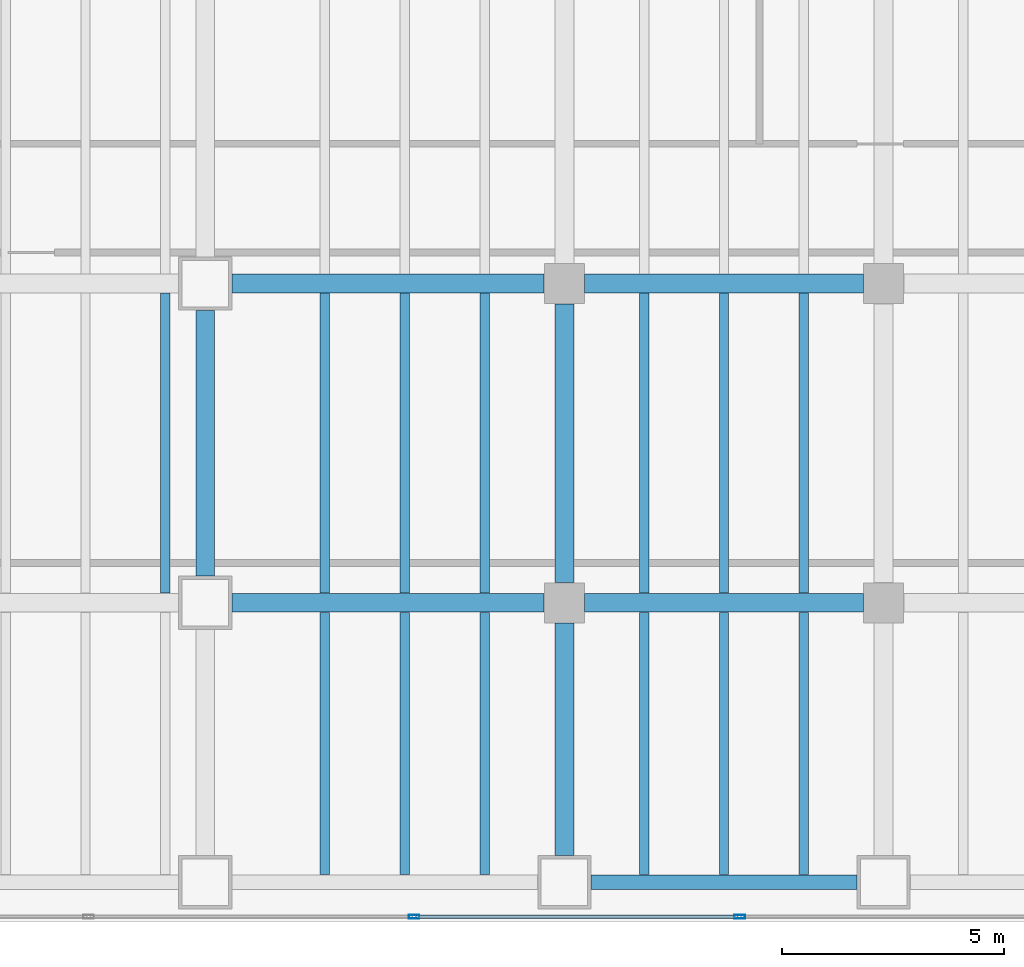
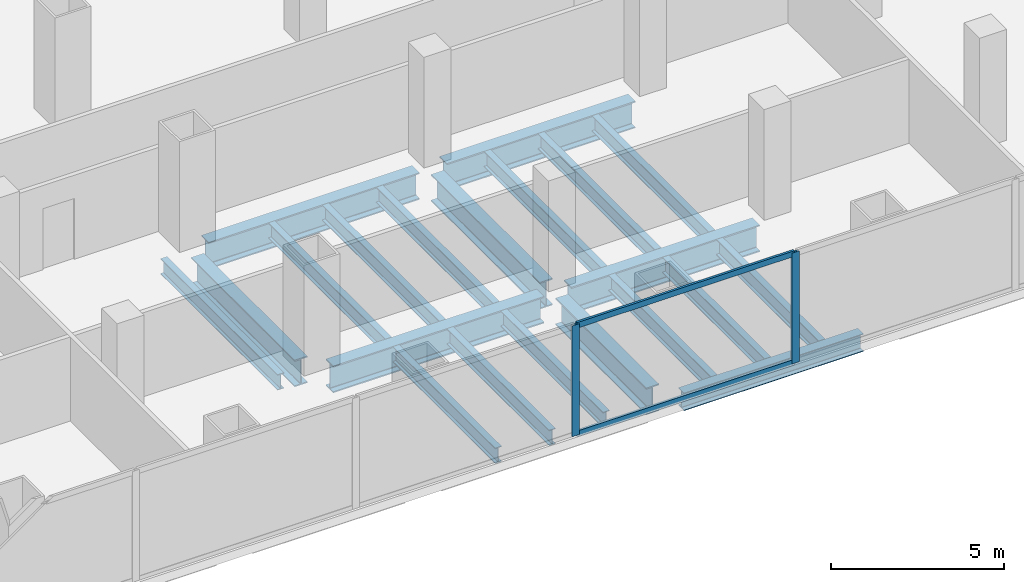
# One storey, part 7 of 29: 21 beams, 4 members, 1 element without a shape of its own.
"""IFC4 building model written with IfcOpenShell, lengths in metres."""

from ifc_helpers import new_model, si_unit, direction, frame, origin, origin_2d, place, context, subcontext, project, spatial, hollow_rectangle, i_section, extrude, material, material_profile, profile_set, type_object, element, aggregate, save


model = new_model("IFC4")

# Units and contexts
model_context = context("Model", 3, precision=1e-05, world=origin(), true_north=direction((0.0, 1.0)))
body_context = subcontext(model_context, "Body", "Model", "MODEL_VIEW")
ifc_project = project(units=[si_unit("LENGTHUNIT", "METRE"), si_unit("AREAUNIT", "SQUARE_METRE"), si_unit("VOLUMEUNIT", "CUBIC_METRE"), si_unit("PLANEANGLEUNIT", "RADIAN"), si_unit("MASSUNIT", "GRAM", prefix="KILO")], contexts=[model_context])

# Site, building, storey
site_placement = place(None, origin())
site = spatial("IfcSite", under=ifc_project, at=site_placement, CompositionType="ELEMENT")
building_placement = place(site_placement, origin())
building = spatial("IfcBuilding", under=site, at=building_placement, Name="Cobrela Telecom Tower", CompositionType="ELEMENT")
storey_placement = place(building_placement, frame((0.0, 0.0, 13.64990234375)))
storey = spatial("IfcBuildingStorey", under=building, at=storey_placement, Name="L03", CompositionType="ELEMENT", Elevation=13.64990234375)

# Beams
ifc_material_1 = material(Name="Steel ASTM A992 Grade 50", Category="steel")
ifc_material_profile_1 = material_profile(ifc_material_1, i_section(OverallWidth=0.424072265625, OverallDepth=0.947021484375, WebThickness=0.02392578125, FlangeThickness=0.042724609375, FilletRadius=0.02392578125, at=origin_2d()), Name="W36X302")
ifc_profile_set_1 = profile_set([ifc_material_profile_1], Name="Steel ASTM A992 Grade 50")
beam_type_1 = type_object("IfcBeamType", Name="BM-GIRD-01", PredefinedType="USERDEFINED", material=ifc_profile_set_1)
beam_1_placement = place(storey_placement, frame((50.10498046875, 7.199951171875, -0.7734375), z_axis=(1.0, 0.0, 0.0), x_axis=(0.0, 1.0, 0.0)))
element("IfcBeam", 1, at=beam_1_placement, inside=storey, type_object=beam_type_1, Name="L03 Primary Girder X16", ObjectType="GIRDER", PredefinedType="USERDEFINED", context=body_context, shape_type="SweptSolid", body=[
    extrude(i_section(OverallWidth=0.424072265625, OverallDepth=0.947021484375, WebThickness=0.02392578125, FlangeThickness=0.042724609375, FilletRadius=0.02392578125, at=origin_2d()), origin(), (0.0, 0.0, 1.0), 7.0400390625),
])
beam_2_placement = place(storey_placement, frame((58.054931640625, 7.199951171875, -0.7734375), z_axis=(1.0, 0.0, 0.0), x_axis=(0.0, 1.0, 0.0)))
element("IfcBeam", 2, at=beam_2_placement, inside=storey, type_object=beam_type_1, Name="L03 Primary Girder X17", ObjectType="GIRDER", PredefinedType="USERDEFINED", context=body_context, shape_type="SweptSolid", body=[
    extrude(i_section(OverallWidth=0.424072265625, OverallDepth=0.947021484375, WebThickness=0.02392578125, FlangeThickness=0.042724609375, FilletRadius=0.02392578125, at=origin_2d()), origin(), (0.0, 0.0, 1.0), 6.2900390625),
])
beam_3_placement = place(storey_placement, frame((50.10498046875, 14.39990234375, -0.7734375), z_axis=(1.0, 0.0, 0.0), x_axis=(0.0, 1.0, 0.0)))
element("IfcBeam", 3, at=beam_3_placement, inside=storey, type_object=beam_type_1, Name="L03 Primary Girder X24", ObjectType="GIRDER", PredefinedType="USERDEFINED", context=body_context, shape_type="SweptSolid", body=[
    extrude(i_section(OverallWidth=0.424072265625, OverallDepth=0.947021484375, WebThickness=0.02392578125, FlangeThickness=0.042724609375, FilletRadius=0.02392578125, at=origin_2d()), origin(), (0.0, 0.0, 1.0), 7.0400390625),
])
beam_4_placement = place(storey_placement, frame((58.054931640625, 14.39990234375, -0.7734375), z_axis=(1.0, 0.0, 0.0), x_axis=(0.0, 1.0, 0.0)))
element("IfcBeam", 4, at=beam_4_placement, inside=storey, type_object=beam_type_1, Name="L03 Primary Girder X25", ObjectType="GIRDER", PredefinedType="USERDEFINED", context=body_context, shape_type="SweptSolid", body=[
    extrude(i_section(OverallWidth=0.424072265625, OverallDepth=0.947021484375, WebThickness=0.02392578125, FlangeThickness=0.042724609375, FilletRadius=0.02392578125, at=origin_2d()), origin(), (0.0, 0.0, 1.0), 6.2900390625),
])
beam_5_placement = place(storey_placement, frame((49.5, 7.804931640625, -0.7734375), z_axis=(0.0, 1.0, 0.0), x_axis=(-1.0, 0.0, 0.0)))
element("IfcBeam", 5, at=beam_5_placement, inside=storey, type_object=beam_type_1, Name="L03 Primary Girder Y86", ObjectType="GIRDER", PredefinedType="USERDEFINED", context=body_context, shape_type="SweptSolid", body=[
    extrude(i_section(OverallWidth=0.424072265625, OverallDepth=0.947021484375, WebThickness=0.02392578125, FlangeThickness=0.042724609375, FilletRadius=0.02392578125, at=origin_2d()), origin(), (0.0, 0.0, 1.0), 5.989990234375),
])
beam_6_placement = place(storey_placement, frame((57.60009765625, 1.5048828125, -0.7734375), z_axis=(0.0, 1.0, 0.0), x_axis=(-1.0, 0.0, 0.0)))
element("IfcBeam", 6, at=beam_6_placement, inside=storey, type_object=beam_type_1, Name="L03 Primary Girder Y88", ObjectType="GIRDER", PredefinedType="USERDEFINED", context=body_context, shape_type="SweptSolid", body=[
    extrude(i_section(OverallWidth=0.424072265625, OverallDepth=0.947021484375, WebThickness=0.02392578125, FlangeThickness=0.042724609375, FilletRadius=0.02392578125, at=origin_2d()), origin(), (0.0, 0.0, 1.0), 5.240234375),
])
beam_7_placement = place(storey_placement, frame((57.60009765625, 7.655029296875, -0.7734375), z_axis=(0.0, 1.0, 0.0), x_axis=(-1.0, 0.0, 0.0)))
element("IfcBeam", 7, at=beam_7_placement, inside=storey, type_object=beam_type_1, Name="L03 Primary Girder Y89", ObjectType="GIRDER", PredefinedType="USERDEFINED", context=body_context, shape_type="SweptSolid", body=[
    extrude(i_section(OverallWidth=0.424072265625, OverallDepth=0.947021484375, WebThickness=0.02392578125, FlangeThickness=0.042724609375, FilletRadius=0.02392578125, at=origin_2d()), origin(), (0.0, 0.0, 1.0), 6.2900390625),
])
ifc_material_profile_2 = material_profile(ifc_material_1, i_section(OverallWidth=0.212890625, OverallDepth=0.549072265625, WebThickness=0.0146484375, FlangeThickness=0.023681640625, FilletRadius=0.013916015625, at=origin_2d()), Name="W21X93")
ifc_profile_set_2 = profile_set([ifc_material_profile_2], Name="Steel ASTM A992 Grade 50")
beam_type_2 = type_object("IfcBeamType", Name="BM-JOIST-01", PredefinedType="JOIST", material=ifc_profile_set_2)
beam_8_placement = place(storey_placement, frame((48.60009765625, 7.4169921875, -0.574462890625), z_axis=(0.0, 1.0, 0.0), x_axis=(-1.0, 0.0, 0.0)))
element("IfcBeam", 8, at=beam_8_placement, inside=storey, type_object=beam_type_2, Name="L03 Secondary Composite Floor Beam J98", PredefinedType="JOIST", context=body_context, shape_type="SweptSolid", body=[
    extrude(i_section(OverallWidth=0.212890625, OverallDepth=0.549072265625, WebThickness=0.0146484375, FlangeThickness=0.023681640625, FilletRadius=0.013916015625, at=origin_2d()), origin(), (0.0, 0.0, 1.0), 6.76611328125),
])
beam_9_placement = place(storey_placement, frame((52.199951171875, 1.069091796875, -0.574462890625), z_axis=(0.0, 1.0, 0.0), x_axis=(-1.0, 0.0, 0.0)))
element("IfcBeam", 9, at=beam_9_placement, inside=storey, type_object=beam_type_2, Name="L03 Secondary Composite Floor Beam J100", PredefinedType="JOIST", context=body_context, shape_type="SweptSolid", body=[
    extrude(i_section(OverallWidth=0.212890625, OverallDepth=0.549072265625, WebThickness=0.0146484375, FlangeThickness=0.023681640625, FilletRadius=0.013916015625, at=origin_2d()), origin(), (0.0, 0.0, 1.0), 5.913818359375),
])
beam_10_placement = place(storey_placement, frame((52.199951171875, 7.4169921875, -0.574462890625), z_axis=(0.0, 1.0, 0.0), x_axis=(-1.0, 0.0, 0.0)))
element("IfcBeam", 10, at=beam_10_placement, inside=storey, type_object=beam_type_2, Name="L03 Secondary Composite Floor Beam J101", PredefinedType="JOIST", context=body_context, shape_type="SweptSolid", body=[
    extrude(i_section(OverallWidth=0.212890625, OverallDepth=0.549072265625, WebThickness=0.0146484375, FlangeThickness=0.023681640625, FilletRadius=0.013916015625, at=origin_2d()), origin(), (0.0, 0.0, 1.0), 6.76611328125),
])
beam_11_placement = place(storey_placement, frame((54.0, 1.069091796875, -0.574462890625), z_axis=(0.0, 1.0, 0.0), x_axis=(-1.0, 0.0, 0.0)))
element("IfcBeam", 11, at=beam_11_placement, inside=storey, type_object=beam_type_2, Name="L03 Secondary Composite Floor Beam J103", PredefinedType="JOIST", context=body_context, shape_type="SweptSolid", body=[
    extrude(i_section(OverallWidth=0.212890625, OverallDepth=0.549072265625, WebThickness=0.0146484375, FlangeThickness=0.023681640625, FilletRadius=0.013916015625, at=origin_2d()), origin(), (0.0, 0.0, 1.0), 5.913818359375),
])
beam_12_placement = place(storey_placement, frame((54.0, 7.4169921875, -0.574462890625), z_axis=(0.0, 1.0, 0.0), x_axis=(-1.0, 0.0, 0.0)))
element("IfcBeam", 12, at=beam_12_placement, inside=storey, type_object=beam_type_2, Name="L03 Secondary Composite Floor Beam J104", PredefinedType="JOIST", context=body_context, shape_type="SweptSolid", body=[
    extrude(i_section(OverallWidth=0.212890625, OverallDepth=0.549072265625, WebThickness=0.0146484375, FlangeThickness=0.023681640625, FilletRadius=0.013916015625, at=origin_2d()), origin(), (0.0, 0.0, 1.0), 6.76611328125),
])
beam_13_placement = place(storey_placement, frame((55.800048828125, 1.069091796875, -0.574462890625), z_axis=(0.0, 1.0, 0.0), x_axis=(-1.0, 0.0, 0.0)))
element("IfcBeam", 13, at=beam_13_placement, inside=storey, type_object=beam_type_2, Name="L03 Secondary Composite Floor Beam J106", PredefinedType="JOIST", context=body_context, shape_type="SweptSolid", body=[
    extrude(i_section(OverallWidth=0.212890625, OverallDepth=0.549072265625, WebThickness=0.0146484375, FlangeThickness=0.023681640625, FilletRadius=0.013916015625, at=origin_2d()), origin(), (0.0, 0.0, 1.0), 5.913818359375),
])
beam_14_placement = place(storey_placement, frame((55.800048828125, 7.4169921875, -0.574462890625), z_axis=(0.0, 1.0, 0.0), x_axis=(-1.0, 0.0, 0.0)))
element("IfcBeam", 14, at=beam_14_placement, inside=storey, type_object=beam_type_2, Name="L03 Secondary Composite Floor Beam J107", PredefinedType="JOIST", context=body_context, shape_type="SweptSolid", body=[
    extrude(i_section(OverallWidth=0.212890625, OverallDepth=0.549072265625, WebThickness=0.0146484375, FlangeThickness=0.023681640625, FilletRadius=0.013916015625, at=origin_2d()), origin(), (0.0, 0.0, 1.0), 6.76611328125),
])
beam_15_placement = place(storey_placement, frame((59.39990234375, 1.069091796875, -0.574462890625), z_axis=(0.0, 1.0, 0.0), x_axis=(-1.0, 0.0, 0.0)))
element("IfcBeam", 15, at=beam_15_placement, inside=storey, type_object=beam_type_2, Name="L03 Secondary Composite Floor Beam J109", PredefinedType="JOIST", context=body_context, shape_type="SweptSolid", body=[
    extrude(i_section(OverallWidth=0.212890625, OverallDepth=0.549072265625, WebThickness=0.0146484375, FlangeThickness=0.023681640625, FilletRadius=0.013916015625, at=origin_2d()), origin(), (0.0, 0.0, 1.0), 5.913818359375),
])
beam_16_placement = place(storey_placement, frame((59.39990234375, 7.4169921875, -0.574462890625), z_axis=(0.0, 1.0, 0.0), x_axis=(-1.0, 0.0, 0.0)))
element("IfcBeam", 16, at=beam_16_placement, inside=storey, type_object=beam_type_2, Name="L03 Secondary Composite Floor Beam J110", PredefinedType="JOIST", context=body_context, shape_type="SweptSolid", body=[
    extrude(i_section(OverallWidth=0.212890625, OverallDepth=0.549072265625, WebThickness=0.0146484375, FlangeThickness=0.023681640625, FilletRadius=0.013916015625, at=origin_2d()), origin(), (0.0, 0.0, 1.0), 6.76611328125),
])
beam_17_placement = place(storey_placement, frame((61.199951171875, 1.069091796875, -0.574462890625), z_axis=(0.0, 1.0, 0.0), x_axis=(-1.0, 0.0, 0.0)))
element("IfcBeam", 17, at=beam_17_placement, inside=storey, type_object=beam_type_2, Name="L03 Secondary Composite Floor Beam J112", PredefinedType="JOIST", context=body_context, shape_type="SweptSolid", body=[
    extrude(i_section(OverallWidth=0.212890625, OverallDepth=0.549072265625, WebThickness=0.0146484375, FlangeThickness=0.023681640625, FilletRadius=0.013916015625, at=origin_2d()), origin(), (0.0, 0.0, 1.0), 5.913818359375),
])
beam_18_placement = place(storey_placement, frame((61.199951171875, 7.4169921875, -0.574462890625), z_axis=(0.0, 1.0, 0.0), x_axis=(-1.0, 0.0, 0.0)))
element("IfcBeam", 18, at=beam_18_placement, inside=storey, type_object=beam_type_2, Name="L03 Secondary Composite Floor Beam J113", PredefinedType="JOIST", context=body_context, shape_type="SweptSolid", body=[
    extrude(i_section(OverallWidth=0.212890625, OverallDepth=0.549072265625, WebThickness=0.0146484375, FlangeThickness=0.023681640625, FilletRadius=0.013916015625, at=origin_2d()), origin(), (0.0, 0.0, 1.0), 6.76611328125),
])
beam_19_placement = place(storey_placement, frame((63.0, 1.069091796875, -0.574462890625), z_axis=(0.0, 1.0, 0.0), x_axis=(-1.0, 0.0, 0.0)))
element("IfcBeam", 19, at=beam_19_placement, inside=storey, type_object=beam_type_2, Name="L03 Secondary Composite Floor Beam J115", PredefinedType="JOIST", context=body_context, shape_type="SweptSolid", body=[
    extrude(i_section(OverallWidth=0.212890625, OverallDepth=0.549072265625, WebThickness=0.0146484375, FlangeThickness=0.023681640625, FilletRadius=0.013916015625, at=origin_2d()), origin(), (0.0, 0.0, 1.0), 5.913818359375),
])
beam_20_placement = place(storey_placement, frame((63.0, 7.4169921875, -0.574462890625), z_axis=(0.0, 1.0, 0.0), x_axis=(-1.0, 0.0, 0.0)))
element("IfcBeam", 20, at=beam_20_placement, inside=storey, type_object=beam_type_2, Name="L03 Secondary Composite Floor Beam J116", PredefinedType="JOIST", context=body_context, shape_type="SweptSolid", body=[
    extrude(i_section(OverallWidth=0.212890625, OverallDepth=0.549072265625, WebThickness=0.0146484375, FlangeThickness=0.023681640625, FilletRadius=0.013916015625, at=origin_2d()), origin(), (0.0, 0.0, 1.0), 6.76611328125),
])
ifc_material_profile_3 = material_profile(ifc_material_1, i_section(OverallWidth=0.327880859375, OverallDepth=0.6220703125, WebThickness=0.015380859375, FlangeThickness=0.0244140625, FilletRadius=0.014892578125, at=origin_2d()), Name="W24X131")
ifc_profile_set_3 = profile_set([ifc_material_profile_3], Name="Steel ASTM A992 Grade 50")
beam_type_3 = type_object("IfcBeamType", Name="BM-SPAND-01", PredefinedType="SPANDREL", material=ifc_profile_set_3)
beam_21_placement = place(storey_placement, frame((58.205078125, 0.89990234375, -0.61083984375), z_axis=(1.0, 0.0, 0.0), x_axis=(0.0, 1.0, 0.0)))
element("IfcBeam", 21, at=beam_21_placement, inside=storey, type_object=beam_type_3, Name="L03 Perimeter Spandrel X07", PredefinedType="SPANDREL", context=body_context, shape_type="SweptSolid", body=[
    extrude(i_section(OverallWidth=0.327880859375, OverallDepth=0.6220703125, WebThickness=0.015380859375, FlangeThickness=0.0244140625, FilletRadius=0.014892578125, at=origin_2d()), origin(), (0.0, 0.0, 1.0), 5.989990234375),
])

# Curtain wall, members
ifc_material_2 = material(Name="Anodized Bronze Aluminium 6063-T6", Category="aluminium")
curtain_wall_type = type_object("IfcCurtainWallType", Name="CW-SYS-CONC", PredefinedType="USERDEFINED", material=ifc_material_2)
curtain_wall_placement = place(storey_placement, origin())
curtain_wall = element("IfcCurtainWall", 22, at=curtain_wall_placement, inside=storey, type_object=curtain_wall_type, Name="L03 Unitised Bronze Curtain Wall 17", ObjectType="UNITISED CURTAIN WALL", PredefinedType="USERDEFINED")
ifc_material_profile_4 = material_profile(ifc_material_2, hollow_rectangle(XDim=0.080078125, YDim=0.239990234375, WallThickness=0.0048828125, at=origin_2d()), Name="ALU 80x240x5")
ifc_profile_set_4 = profile_set([ifc_material_profile_4], Name="Anodized Bronze Aluminium 6063-T6")
member_type_1 = type_object("IfcMemberType", Name="CW-SYS-CONC-MUL", PredefinedType="MULLION", material=ifc_profile_set_4)
member_1_placement = place(storey_placement, frame((61.554443359375, 0.1201171875, 0.0), z_axis=(0.0, 0.0, 1.0), x_axis=(0.0, -1.0, 0.0)))
member_1 = element("IfcMember", 23, at=member_1_placement, type_object=member_type_1, Name="CW-CONC mullion 4", PredefinedType="MULLION", context=body_context, shape_type="SweptSolid", body=[
    extrude(hollow_rectangle(XDim=0.080078125, YDim=0.239990234375, WallThickness=0.0048828125, at=origin_2d()), origin(), (0.0, 0.0, 1.0), 3.91015625),
])
member_2_placement = place(storey_placement, frame((54.212646484375, 0.1201171875, 0.0), z_axis=(0.0, 0.0, 1.0), x_axis=(0.0, -1.0, 0.0)))
member_2 = element("IfcMember", 24, at=member_2_placement, type_object=member_type_1, Name="CW-CONC mullion 5", PredefinedType="MULLION", context=body_context, shape_type="SweptSolid", body=[
    extrude(hollow_rectangle(XDim=0.080078125, YDim=0.239990234375, WallThickness=0.0048828125, at=origin_2d()), origin(), (0.0, 0.0, 1.0), 3.91015625),
])
ifc_material_profile_5 = material_profile(ifc_material_2, hollow_rectangle(XDim=0.080078125, YDim=0.199951171875, WallThickness=0.00390625, at=origin_2d()), Name="ALU 80x200x4")
ifc_profile_set_5 = profile_set([ifc_material_profile_5], Name="Anodized Bronze Aluminium 6063-T6")
member_type_2 = type_object("IfcMemberType", Name="CW-SYS-CONC-TRN", PredefinedType="USERDEFINED", material=ifc_profile_set_5)
member_3_placement = place(storey_placement, frame((61.5146484375, 0.1201171875, 0.0400390625), z_axis=(-1.0, 0.0, 0.0), x_axis=(0.0, -1.0, 0.0)))
member_3 = element("IfcMember", 25, at=member_3_placement, type_object=member_type_2, Name="CW-CONC transom 4.1", ObjectType="TRANSOM", PredefinedType="USERDEFINED", context=body_context, shape_type="SweptSolid", body=[
    extrude(hollow_rectangle(XDim=0.080078125, YDim=0.199951171875, WallThickness=0.00390625, at=origin_2d()), origin(), (0.0, 0.0, 1.0), 7.261962890625),
])
member_4_placement = place(storey_placement, frame((61.5146484375, 0.1201171875, 3.8701171875), z_axis=(-1.0, 0.0, 0.0), x_axis=(0.0, -1.0, 0.0)))
member_4 = element("IfcMember", 26, at=member_4_placement, type_object=member_type_2, Name="CW-CONC transom 4.2", ObjectType="TRANSOM", PredefinedType="USERDEFINED", context=body_context, shape_type="SweptSolid", body=[
    extrude(hollow_rectangle(XDim=0.080078125, YDim=0.199951171875, WallThickness=0.00390625, at=origin_2d()), origin(), (0.0, 0.0, 1.0), 7.261962890625),
])
aggregate(curtain_wall, [member_1, member_2, member_3, member_4])

save(model, "model.ifc")
